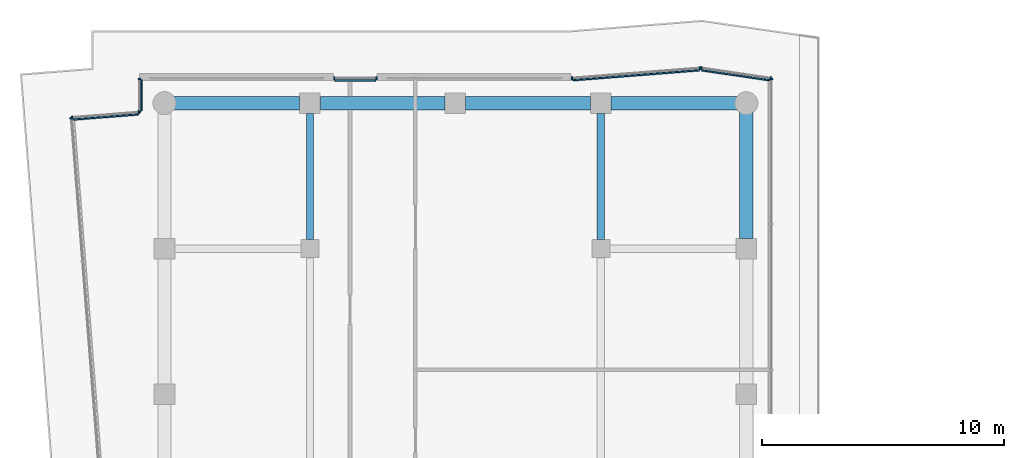
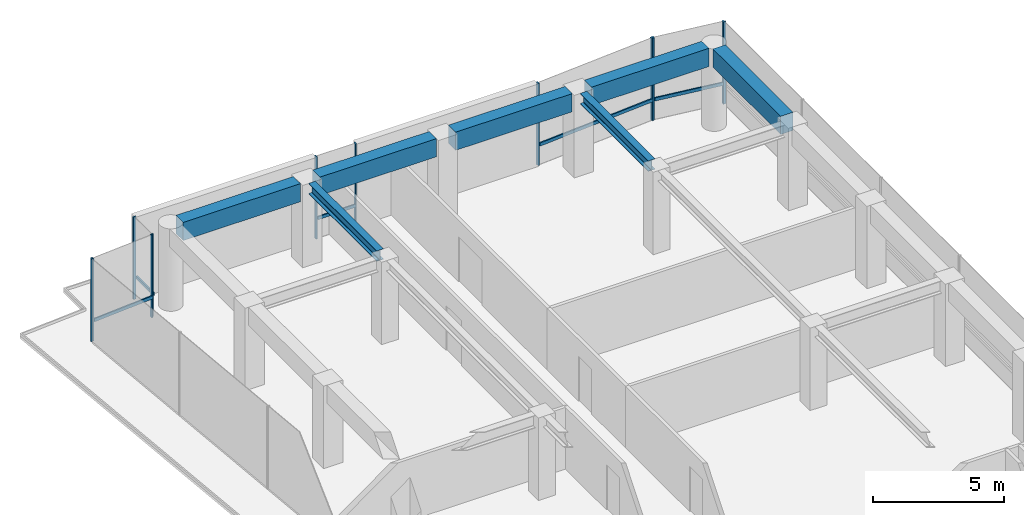
# One storey, part 17 of 23: 17 members, 7 beams, 7 elements without a shape of their own.
"""IFC4 building model written with IfcOpenShell, lengths in metres."""

import ifcopenshell
import ifcopenshell.guid

model = None  # the IFC model being written
_history = None  # IfcOwnerHistory: only IFC2X3 demands one
_inside = {}  # id of a spatial element -> (the spatial element, [elements in it])
_under = {}  # id of a project, library or spatial element -> (it, [spatial elements below it])
_declared = {}  # id of a project -> (the project, [libraries it declares])
_typed = {}  # id of a type object -> (the type object, [elements of that type])
_made_of = {}  # id of a material, layer set ... -> (it, [elements and type objects made of it])


def new_model(schema):
    """Start an empty IFC model of exactly this schema.

    Asked for "IFC4X3", IfcOpenShell would pick the latest addendum, in which some entities
    have other attributes; the version numbers below select the first issue.
    IFC2X3 requires an IfcOwnerHistory on every rooted entity: one is made here for all.
    """
    global model, _history
    if schema == "IFC4X3":
        model = ifcopenshell.file(schema_version=(4, 3, 0, 0))
    else:
        model = ifcopenshell.file(schema=schema)
    _inside.clear()
    _under.clear()
    _declared.clear()
    _typed.clear()
    _made_of.clear()
    _history = None
    if model.schema == "IFC2X3":
        org = make("IfcOrganization", Name="unknown")
        user = make(
            "IfcPersonAndOrganization",
            ThePerson=make("IfcPerson", FamilyName="unknown"),
            TheOrganization=org,
        )
        app = make(
            "IfcApplication",
            ApplicationDeveloper=org,
            Version="unknown",
            ApplicationFullName="unknown",
            ApplicationIdentifier="unknown",
        )
        _history = make(
            "IfcOwnerHistory",
            OwningUser=user,
            OwningApplication=app,
            ChangeAction="ADDED",
            CreationDate=0,
        )
    return model


def make(cls, **values):
    """One entity of the class cls with the attributes given. An attribute that is None is left unset."""
    return model.create_entity(
        cls, **{name: value for name, value in values.items() if value is not None}
    )


def rooted(cls, **values):
    """An entity with a GlobalId (a new one), such as an element, a storey or a relation."""
    return make(cls, GlobalId=ifcopenshell.guid.new(), OwnerHistory=_history, **values)


def si_unit(unit_type, name, prefix=None):
    """IfcSIUnit, for example si_unit("LENGTHUNIT", "METRE", prefix="MILLI")."""
    return make("IfcSIUnit", UnitType=unit_type, Prefix=prefix, Name=name)


def assignment(units):
    """IfcUnitAssignment: the units of a project."""
    return None if units is None else make("IfcUnitAssignment", Units=units)


def point(xyz):
    """IfcCartesianPoint."""
    return None if xyz is None else make("IfcCartesianPoint", Coordinates=xyz)


def direction(xyz):
    """IfcDirection."""
    return None if xyz is None else make("IfcDirection", DirectionRatios=xyz)


def frame(location, z_axis=None, x_axis=None):
    """IfcAxis2Placement3D, a coordinate frame: its origin and axes. An axis left out is left unset."""
    return make(
        "IfcAxis2Placement3D",
        Location=point(location),
        Axis=direction(z_axis),
        RefDirection=direction(x_axis),
    )


def frame_2d(location, x_axis=None):
    """IfcAxis2Placement2D, a coordinate frame in the plane: its origin and x axis."""
    return make(
        "IfcAxis2Placement2D", Location=point(location), RefDirection=direction(x_axis)
    )


def origin():
    """The frame at (0, 0, 0) with its axes left unset."""
    return frame((0.0, 0.0, 0.0))


def origin_2d():
    """The frame at (0, 0) in the plane with its x axis left unset."""
    return frame_2d((0.0, 0.0))


def place(relative_to, where):
    """IfcLocalPlacement: puts the frame where relative to a parent placement (None: the world)."""
    return make(
        "IfcLocalPlacement", PlacementRelTo=relative_to, RelativePlacement=where
    )


def context(
    kind, dimensions, precision=None, world=None, true_north=None, identifier=None
):
    """IfcGeometricRepresentationContext, for example the 3D "Model" context."""
    return make(
        "IfcGeometricRepresentationContext",
        ContextIdentifier=identifier,
        ContextType=kind,
        CoordinateSpaceDimension=dimensions,
        Precision=precision,
        WorldCoordinateSystem=world,
        TrueNorth=true_north,
    )


def subcontext(parent, identifier, kind, view, scale=None):
    """IfcGeometricRepresentationSubContext, for example "Body" below "Model"."""
    return make(
        "IfcGeometricRepresentationSubContext",
        ContextIdentifier=identifier,
        ContextType=kind,
        ParentContext=parent,
        TargetScale=scale,
        TargetView=view,
    )


def project(units=None, contexts=None):
    """IfcProject with its units and contexts."""
    return rooted(
        "IfcProject",
        Name="project",
        RepresentationContexts=contexts,
        UnitsInContext=assignment(units),
    )


def spatial(cls, under=None, at=None, **own):
    """A site, building, storey or space (cls), placed at a placement, below another one or the project."""
    s = rooted(cls, ObjectPlacement=at, **own)
    if under is not None:
        _under.setdefault(under.id(), (under, []))[1].append(s)
    return s


def profile(cls, at=None, kind="AREA", **sizes):
    """A parametric profile (cls). Its sizes go by their IFC names, for example OverallWidth=200.0."""
    return make(cls, ProfileType=kind, Position=at, **sizes)


def rectangle(**sizes):
    """IfcRectangleProfileDef."""
    return profile("IfcRectangleProfileDef", **sizes)


def i_section(**sizes):
    """IfcIShapeProfileDef."""
    return profile("IfcIShapeProfileDef", **sizes)


def extrude(swept, where, along, depth):
    """IfcExtrudedAreaSolid: the profile swept, set in the frame where, extruded along a direction by depth."""
    return make(
        "IfcExtrudedAreaSolid",
        SweptArea=swept,
        Position=where,
        ExtrudedDirection=direction(along),
        Depth=depth,
    )


def shape(context_of_items, identifier, shape_type, items):
    """IfcShapeRepresentation: the items that make up one representation, for example the "Body"."""
    return make(
        "IfcShapeRepresentation",
        ContextOfItems=context_of_items,
        RepresentationIdentifier=identifier,
        RepresentationType=shape_type,
        Items=items,
    )


def material(Name=None, Category=None):
    """IfcMaterial."""
    return make("IfcMaterial", Name=Name, Category=Category)


def layer(
    of_material, thickness, ventilated=None, Name=None, Category=None, Priority=None
):
    """IfcMaterialLayer: one layer of a wall or slab, of a material (None: an air gap)."""
    return make(
        "IfcMaterialLayer",
        Material=of_material,
        LayerThickness=thickness,
        IsVentilated=ventilated,
        Name=Name,
        Category=Category,
        Priority=Priority,
    )


def layer_set(layers, Name=None):
    """IfcMaterialLayerSet."""
    return make("IfcMaterialLayerSet", MaterialLayers=layers, LayerSetName=Name)


def material_profile(
    of_material, cross_section, Name=None, Category=None, Priority=None
):
    """IfcMaterialProfile: a cross section and its material."""
    return make(
        "IfcMaterialProfile",
        Name=Name,
        Material=of_material,
        Profile=cross_section,
        Priority=Priority,
        Category=Category,
    )


def profile_set(profiles, Name=None, composite=None):
    """IfcMaterialProfileSet."""
    return make(
        "IfcMaterialProfileSet",
        Name=Name,
        MaterialProfiles=profiles,
        CompositeProfile=composite,
    )


def made_of(thing, what):
    """Note that an element or type object is made of a material, layer set ...; save() writes the relation."""
    if what is not None:
        _made_of.setdefault(what.id(), (what, []))[1].append(thing)
    return thing


def type_object(cls, material=None, **own):
    """A type object (cls), such as IfcWallType, which elements share."""
    return made_of(rooted(cls, **own), material)


def element(
    cls,
    number,
    at=None,
    inside=None,
    cuts=None,
    type_object=None,
    material=None,
    context=None,
    identifier="Body",
    shape_type=None,
    held_by="IfcProductDefinitionShape",
    body=None,
    shapes=None,
    **own,
):
    """One element of the class cls, such as IfcWall. Its Tag is "e" and its number.

    at: its placement. inside: the storey or other place that contains it. cuts: it is an
    opening in that element (IfcRelVoidsElement). A single representation is given by context,
    identifier, shape_type and body (its items); several are given by shapes. held_by: the class
    of the entity that holds the representations. save() writes the other relations.
    """
    e = rooted(cls, Tag="e%d" % number, ObjectPlacement=at, **own)
    if body is not None:
        shapes = [shape(context, identifier, shape_type, body)]
    if shapes is not None:
        e.Representation = make(held_by, Representations=shapes)
    if inside is not None:
        _inside.setdefault(inside.id(), (inside, []))[1].append(e)
    if cuts is not None:
        rooted(
            "IfcRelVoidsElement", RelatingBuildingElement=cuts, RelatedOpeningElement=e
        )
    if type_object is not None:
        _typed.setdefault(type_object.id(), (type_object, []))[1].append(e)
    return made_of(e, material)


def aggregate(whole, parts):
    """IfcRelAggregates: a whole, such as a stair, and the parts it consists of."""
    return rooted("IfcRelAggregates", RelatingObject=whole, RelatedObjects=parts)


def save(model, path):
    """Write the relations noted so far, then the file.

    IfcRelAggregates (storeys below a building ...), IfcRelContainedInSpatialStructure (elements
    in a storey), IfcRelDefinesByType, IfcRelAssociatesMaterial and IfcRelDeclares: one each for
    every whole, place, type object, material and project.
    """
    for whole, parts in _under.values():
        aggregate(whole, parts)
    for where, things in _inside.values():
        rooted(
            "IfcRelContainedInSpatialStructure",
            RelatedElements=things,
            RelatingStructure=where,
        )
    for kind, things in _typed.values():
        rooted("IfcRelDefinesByType", RelatedObjects=things, RelatingType=kind)
    for what, things in _made_of.values():
        rooted("IfcRelAssociatesMaterial", RelatedObjects=things, RelatingMaterial=what)
    for by, libraries in _declared.values():
        rooted("IfcRelDeclares", RelatingContext=by, RelatedDefinitions=libraries)
    model.write(path)


model = new_model("IFC4")

# Units and contexts
model_context = context("Model", 3, precision=1e-05, world=origin(), true_north=direction((0.0, 1.0)))
body_context = subcontext(model_context, "Body", "Model", "MODEL_VIEW")
ifc_project = project(units=[si_unit("LENGTHUNIT", "METRE"), si_unit("AREAUNIT", "SQUARE_METRE"), si_unit("VOLUMEUNIT", "CUBIC_METRE"), si_unit("PLANEANGLEUNIT", "RADIAN"), si_unit("MASSUNIT", "GRAM", prefix="KILO")], contexts=[model_context])

# Site, building, storey
site_placement = place(None, origin())
site = spatial("IfcSite", under=ifc_project, at=site_placement, CompositionType="ELEMENT")
building_placement = place(site_placement, origin())
building = spatial("IfcBuilding", under=site, at=building_placement, Name="Welwitschia Terrace Campus", CompositionType="ELEMENT")
storey_placement = place(building_placement, frame((0.0, 0.0, 188.60009765625)))
storey = spatial("IfcBuildingStorey", under=building, at=storey_placement, Name="L42", CompositionType="ELEMENT", Elevation=188.60009765625)

# Beams
ifc_material_1 = material(Name="Steel S355", Category="steel")
ifc_material_profile_1 = material_profile(ifc_material_1, i_section(OverallWidth=0.300048828125, OverallDepth=0.489990234375, WebThickness=0.011962890625, FlangeThickness=0.02294921875, FilletRadius=0.027099609375, at=origin_2d()))
ifc_profile_set_1 = profile_set([ifc_material_profile_1], Name="Steel S355")
beam_type_1 = type_object("IfcBeamType", Name="Interior girder HE 500 A", PredefinedType="BEAM", material=ifc_profile_set_1)
for number, where, z_axis, x_axis, name in (
    (1, (6.0, 56.37548828125, 3.60498046875), (0.0, 1.0, 0.0), (-1.0, 0.0, 0.0), "Girder GB4"),
    (2, (18.0, 56.37548828125, 3.60498046875), (0.0, 1.0, 0.0), (-1.0, 0.0, 0.0), "Girder GB4"),
):
    element("IfcBeam", number, at=place(storey_placement, frame(where, z_axis=z_axis, x_axis=x_axis)), inside=storey, type_object=beam_type_1, Name=name, PredefinedType="BEAM", context=body_context, shape_type="SweptSolid", body=[
        extrude(i_section(OverallWidth=0.300048828125, OverallDepth=0.489990234375, WebThickness=0.011962890625, FlangeThickness=0.02294921875, FilletRadius=0.027099609375, at=origin_2d()), origin(), (0.0, 0.0, 1.0), 5.208984375),
    ])

# Curtain wall, member
ifc_material_2 = material(Name="Bronze anodised aluminium", Category="aluminium")
ifc_layer = layer(ifc_material_2, 0.1201171875)
ifc_layer_set = layer_set([ifc_layer], Name="Bronze anodised aluminium")
curtain_wall_type = type_object("IfcCurtainWallType", Name="Curtain wall CW2 tower 6000", PredefinedType="NOTDEFINED", material=ifc_layer_set)
curtain_wall_1_placement = place(storey_placement, origin())
curtain_wall_1 = element("IfcCurtainWall", 3, at=curtain_wall_1_placement, inside=storey, type_object=curtain_wall_type, Name="CW L42.0.0", PredefinedType="NOTDEFINED")
ifc_material_3 = material(Name="Bronze anodised aluminium", Category="aluminium")
ifc_material_profile_2 = material_profile(ifc_material_3, rectangle(XDim=0.1201171875, YDim=0.06005859375, at=origin_2d()))
ifc_profile_set_2 = profile_set([ifc_material_profile_2], Name="Bronze anodised aluminium")
member_type_1 = type_object("IfcMemberType", Name="Mullion 60x120", PredefinedType="MULLION", material=ifc_profile_set_2)
member_1_placement = place(storey_placement, frame((-3.83837890625, 61.37744140625, 0.0), z_axis=(0.0, 0.0, 1.0), x_axis=(0.996917333733, 0.078459095728, 0.0)))
member_1 = element("IfcMember", 4, at=member_1_placement, type_object=member_type_1, Name="Mullion L42.0.0.0", PredefinedType="MULLION", context=body_context, shape_type="SweptSolid", body=[
    extrude(rectangle(XDim=0.1201171875, YDim=0.06005859375, at=origin_2d()), origin(), (0.0, 0.0, 1.0), 3.849853515625),
])
aggregate(curtain_wall_1, [member_1])

curtain_wall_2_placement = place(storey_placement, origin())
curtain_wall_2 = element("IfcCurtainWall", 5, at=curtain_wall_2_placement, inside=storey, type_object=curtain_wall_type, Name="CW L42.9.0", PredefinedType="NOTDEFINED")
member_2_placement = place(storey_placement, frame((25.030029296875, 62.995849609375, 0.0), z_axis=(0.0, 0.0, 1.0), x_axis=(-1.0, 0.0, 0.0)))
member_2 = element("IfcMember", 6, at=member_2_placement, type_object=member_type_1, Name="Mullion L42.9.0.6", PredefinedType="MULLION", context=body_context, shape_type="SweptSolid", body=[
    extrude(rectangle(XDim=0.1201171875, YDim=0.06005859375, at=origin_2d()), origin(), (0.0, 0.0, 1.0), 3.849853515625),
])
aggregate(curtain_wall_2, [member_2])

# Curtain wall, members
curtain_wall_3_placement = place(storey_placement, origin())
curtain_wall_3 = element("IfcCurtainWall", 7, at=curtain_wall_3_placement, inside=storey, type_object=curtain_wall_type, Name="CW L42.10.0", PredefinedType="NOTDEFINED")
member_3_placement = place(storey_placement, frame((25.000244140625, 63.0302734375, 0.0), z_axis=(0.0, 0.0, 1.0), x_axis=(-0.143796501773, -0.989607278711, 0.0)))
member_3 = element("IfcMember", 8, at=member_3_placement, type_object=member_type_1, Name="Mullion L42.10.0.0", PredefinedType="MULLION", context=body_context, shape_type="SweptSolid", body=[
    extrude(rectangle(XDim=0.1201171875, YDim=0.06005859375, at=origin_2d()), origin(), (0.0, 0.0, 1.0), 3.849853515625),
])
member_4_placement = place(storey_placement, frame((22.14208984375, 63.445556640625, 0.0), z_axis=(0.0, 0.0, 1.0), x_axis=(-0.143796501773, -0.989607278711, 0.0)))
member_4 = element("IfcMember", 9, at=member_4_placement, type_object=member_type_1, Name="Mullion L42.10.0.1", PredefinedType="MULLION", context=body_context, shape_type="SweptSolid", body=[
    extrude(rectangle(XDim=0.1201171875, YDim=0.06005859375, at=origin_2d()), origin(), (0.0, 0.0, 1.0), 3.849853515625),
])

curtain_wall_4_placement = place(storey_placement, origin())
curtain_wall_4 = element("IfcCurtainWall", 10, at=curtain_wall_4_placement, inside=storey, type_object=curtain_wall_type, Name="CW L42.11.0", PredefinedType="NOTDEFINED")
member_5_placement = place(storey_placement, frame((22.08251953125, 63.447509765625, 0.0), z_axis=(0.0, 0.0, 1.0), x_axis=(0.078459095728, -0.996917333733, 0.0)))
member_5 = element("IfcMember", 11, at=member_5_placement, type_object=member_type_1, Name="Mullion L42.11.0.0", PredefinedType="MULLION", context=body_context, shape_type="SweptSolid", body=[
    extrude(rectangle(XDim=0.1201171875, YDim=0.06005859375, at=origin_2d()), origin(), (0.0, 0.0, 1.0), 3.849853515625),
])
member_6_placement = place(storey_placement, frame((16.806640625, 63.032470703125, 0.0), z_axis=(0.0, 0.0, 1.0), x_axis=(0.078459095728, -0.996917333733, 0.0)))
member_6 = element("IfcMember", 12, at=member_6_placement, type_object=member_type_1, Name="Mullion L42.11.0.1", PredefinedType="MULLION", context=body_context, shape_type="SweptSolid", body=[
    extrude(rectangle(XDim=0.1201171875, YDim=0.06005859375, at=origin_2d()), origin(), (0.0, 0.0, 1.0), 3.849853515625),
])

curtain_wall_5_placement = place(storey_placement, origin())
curtain_wall_5 = element("IfcCurtainWall", 13, at=curtain_wall_5_placement, inside=storey, type_object=curtain_wall_type, Name="CW L42.12.S0", PredefinedType="NOTDEFINED")
member_7_placement = place(storey_placement, frame((8.743408203125, 63.030029296875, 0.0), z_axis=(0.0, 0.0, 1.0), x_axis=(0.0, -1.0, 0.0)))
member_7 = element("IfcMember", 14, at=member_7_placement, type_object=member_type_1, Name="Mullion L42.12.S0.0", PredefinedType="MULLION", context=body_context, shape_type="SweptSolid", body=[
    extrude(rectangle(XDim=0.1201171875, YDim=0.06005859375, at=origin_2d()), origin(), (0.0, 0.0, 1.0), 3.849853515625),
])
member_8_placement = place(storey_placement, frame((7.00341796875, 63.030029296875, 0.0), z_axis=(0.0, 0.0, 1.0), x_axis=(0.0, -1.0, 0.0)))
member_8 = element("IfcMember", 15, at=member_8_placement, type_object=member_type_1, Name="Mullion L42.12.S0.1", PredefinedType="MULLION", context=body_context, shape_type="SweptSolid", body=[
    extrude(rectangle(XDim=0.1201171875, YDim=0.06005859375, at=origin_2d()), origin(), (0.0, 0.0, 1.0), 3.849853515625),
])

curtain_wall_6_placement = place(storey_placement, origin())
curtain_wall_6 = element("IfcCurtainWall", 16, at=curtain_wall_6_placement, inside=storey, type_object=curtain_wall_type, Name="CW L42.13.0", PredefinedType="NOTDEFINED")
member_9_placement = place(storey_placement, frame((-1.030029296875, 63.0, 0.0), z_axis=(0.0, 0.0, 1.0), x_axis=(1.0, 0.0, 0.0)))
member_9 = element("IfcMember", 17, at=member_9_placement, type_object=member_type_1, Name="Mullion L42.13.0.0", PredefinedType="MULLION", context=body_context, shape_type="SweptSolid", body=[
    extrude(rectangle(XDim=0.1201171875, YDim=0.06005859375, at=origin_2d()), origin(), (0.0, 0.0, 1.0), 3.849853515625),
])
member_10_placement = place(storey_placement, frame((-1.030029296875, 61.65869140625, 0.0), z_axis=(0.0, 0.0, 1.0), x_axis=(1.0, 0.0, 0.0)))
member_10 = element("IfcMember", 18, at=member_10_placement, type_object=member_type_1, Name="Mullion L42.13.0.1", PredefinedType="MULLION", context=body_context, shape_type="SweptSolid", body=[
    extrude(rectangle(XDim=0.1201171875, YDim=0.06005859375, at=origin_2d()), origin(), (0.0, 0.0, 1.0), 3.849853515625),
])

curtain_wall_7_placement = place(storey_placement, origin())
curtain_wall_7 = element("IfcCurtainWall", 19, at=curtain_wall_7_placement, inside=storey, type_object=curtain_wall_type, Name="CW L42.14.0", PredefinedType="NOTDEFINED")
member_11_placement = place(storey_placement, frame((-1.059814453125, 61.626220703125, 0.0), z_axis=(0.0, 0.0, 1.0), x_axis=(0.078459095728, -0.996917333733, 0.0)))
member_11 = element("IfcMember", 20, at=member_11_placement, type_object=member_type_1, Name="Mullion L42.14.0.0", PredefinedType="MULLION", context=body_context, shape_type="SweptSolid", body=[
    extrude(rectangle(XDim=0.1201171875, YDim=0.06005859375, at=origin_2d()), origin(), (0.0, 0.0, 1.0), 3.849853515625),
])
member_12_placement = place(storey_placement, frame((-3.810791015625, 61.40966796875, 0.0), z_axis=(0.0, 0.0, 1.0), x_axis=(0.078459095728, -0.996917333733, 0.0)))
member_12 = element("IfcMember", 21, at=member_12_placement, type_object=member_type_1, Name="Mullion L42.14.0.1", PredefinedType="MULLION", context=body_context, shape_type="SweptSolid", body=[
    extrude(rectangle(XDim=0.1201171875, YDim=0.06005859375, at=origin_2d()), origin(), (0.0, 0.0, 1.0), 3.849853515625),
])

# Beams
ifc_material_4 = material(Name="Concrete C50/60", Category="concrete")
ifc_material_profile_3 = material_profile(ifc_material_4, rectangle(XDim=0.550048828125, YDim=0.85009765625, at=origin_2d()))
ifc_profile_set_3 = profile_set([ifc_material_profile_3], Name="Concrete C50/60")
beam_type_2 = type_object("IfcBeamType", Name="Ring spandrel 550x850", PredefinedType="SPANDREL", material=ifc_profile_set_3)
for number, where, z_axis, x_axis, name in (
    (22, (24.0, 56.425537109375, 3.4248046875), (0.0, 1.0, 0.0), (-1.0, 0.0, 0.0), "Spandrel SP3"),
    (23, (23.612060546875, 62.0, 3.4248046875), (-1.0, 0.0, 0.0), (0.0, -1.0, 0.0), "Spandrel SP3"),
):
    element("IfcBeam", number, at=place(storey_placement, frame(where, z_axis=z_axis, x_axis=x_axis)), inside=storey, type_object=beam_type_2, Name=name, PredefinedType="SPANDREL", context=body_context, shape_type="SweptSolid", body=[
        extrude(rectangle(XDim=0.550048828125, YDim=0.85009765625, at=origin_2d()), origin(), (0.0, 0.0, 1.0), 5.1865234375),
    ])
for number, where, z_axis, x_axis, name in (
    (24, (17.574462890625, 62.0, 3.4248046875), (-1.0, 0.0, 0.0), (0.0, -1.0, 0.0), "Spandrel SP3"),
    (25, (11.574462890625, 62.0, 3.4248046875), (-1.0, 0.0, 0.0), (0.0, -1.0, 0.0), "Spandrel SP3"),
):
    element("IfcBeam", number, at=place(storey_placement, frame(where, z_axis=z_axis, x_axis=x_axis)), inside=storey, type_object=beam_type_2, Name=name, PredefinedType="SPANDREL", context=body_context, shape_type="SweptSolid", body=[
        extrude(rectangle(XDim=0.550048828125, YDim=0.85009765625, at=origin_2d()), origin(), (0.0, 0.0, 1.0), 5.14892578125),
    ])
beam_placement = place(storey_placement, frame((5.574462890625, 62.0, 3.4248046875), z_axis=(-1.0, 0.0, 0.0), x_axis=(0.0, -1.0, 0.0)))
element("IfcBeam", 26, at=beam_placement, inside=storey, type_object=beam_type_2, Name="Spandrel SP3", PredefinedType="SPANDREL", context=body_context, shape_type="SweptSolid", body=[
    extrude(rectangle(XDim=0.550048828125, YDim=0.85009765625, at=origin_2d()), origin(), (0.0, 0.0, 1.0), 5.1865234375),
])

# Member
ifc_material_5 = material(Name="Bronze anodised aluminium", Category="aluminium")
ifc_material_profile_4 = material_profile(ifc_material_5, rectangle(XDim=0.06005859375, YDim=0.14990234375, at=origin_2d()))
ifc_profile_set_4 = profile_set([ifc_material_profile_4], Name="Bronze anodised aluminium")
member_type_2 = type_object("IfcMemberType", Name="Transom 60x150", PredefinedType="USERDEFINED", material=ifc_profile_set_4)
member_13_placement = place(storey_placement, frame((24.957763671875, 62.945556640625, 1.0), z_axis=(-0.989606548465, 0.143801527234, 0.0), x_axis=(-0.143801527234, -0.989606548465, 0.0)))
member_13 = element("IfcMember", 27, at=member_13_placement, type_object=member_type_2, Name="Transom L42.10.0", ObjectType="TRANSOM", PredefinedType="USERDEFINED", context=body_context, shape_type="SweptSolid", body=[
    extrude(rectangle(XDim=0.06005859375, YDim=0.14990234375, at=origin_2d()), origin(), (0.0, 0.0, 1.0), 2.828369140625),
])

aggregate(curtain_wall_3, [member_3, member_4, member_13])

member_14_placement = place(storey_placement, frame((22.0595703125, 63.35546875, 1.0), z_axis=(-0.996918732448, -0.078441321346, 0.0), x_axis=(0.078441321346, -0.996918732448, 0.0)))
member_14 = element("IfcMember", 28, at=member_14_placement, type_object=member_type_2, Name="Transom L42.11.0", ObjectType="TRANSOM", PredefinedType="USERDEFINED", context=body_context, shape_type="SweptSolid", body=[
    extrude(rectangle(XDim=0.06005859375, YDim=0.14990234375, at=origin_2d()), origin(), (0.0, 0.0, 1.0), 5.23193359375),
])

aggregate(curtain_wall_4, [member_5, member_6, member_14])

member_15_placement = place(storey_placement, frame((8.71337890625, 62.93994140625, 1.0), z_axis=(-1.0, 0.0, 0.0), x_axis=(0.0, -1.0, 0.0)))
member_15 = element("IfcMember", 29, at=member_15_placement, type_object=member_type_2, Name="Transom L42.12.S0", ObjectType="TRANSOM", PredefinedType="USERDEFINED", context=body_context, shape_type="SweptSolid", body=[
    extrude(rectangle(XDim=0.06005859375, YDim=0.14990234375, at=origin_2d()), origin(), (0.0, 0.0, 1.0), 1.679931640625),
])

aggregate(curtain_wall_5, [member_7, member_8, member_15])

member_16_placement = place(storey_placement, frame((-0.93994140625, 62.969970703125, 1.0), z_axis=(0.0, -1.0, 0.0), x_axis=(1.0, 0.0, 0.0)))
member_16 = element("IfcMember", 30, at=member_16_placement, type_object=member_type_2, Name="Transom L42.13.0", ObjectType="TRANSOM", PredefinedType="USERDEFINED", context=body_context, shape_type="SweptSolid", body=[
    extrude(rectangle(XDim=0.06005859375, YDim=0.14990234375, at=origin_2d()), origin(), (0.0, 0.0, 1.0), 1.281494140625),
])

aggregate(curtain_wall_6, [member_9, member_10, member_16])

member_17_placement = place(storey_placement, frame((-1.082763671875, 61.5341796875, 1.0), z_axis=(-0.99691400041, -0.078501438116, 0.0), x_axis=(0.078501438116, -0.99691400041, 0.0)))
member_17 = element("IfcMember", 31, at=member_17_placement, type_object=member_type_2, Name="Transom L42.14.0", ObjectType="TRANSOM", PredefinedType="USERDEFINED", context=body_context, shape_type="SweptSolid", body=[
    extrude(rectangle(XDim=0.06005859375, YDim=0.14990234375, at=origin_2d()), origin(), (0.0, 0.0, 1.0), 2.699462890625),
])

aggregate(curtain_wall_7, [member_11, member_12, member_17])

save(model, "model.ifc")
